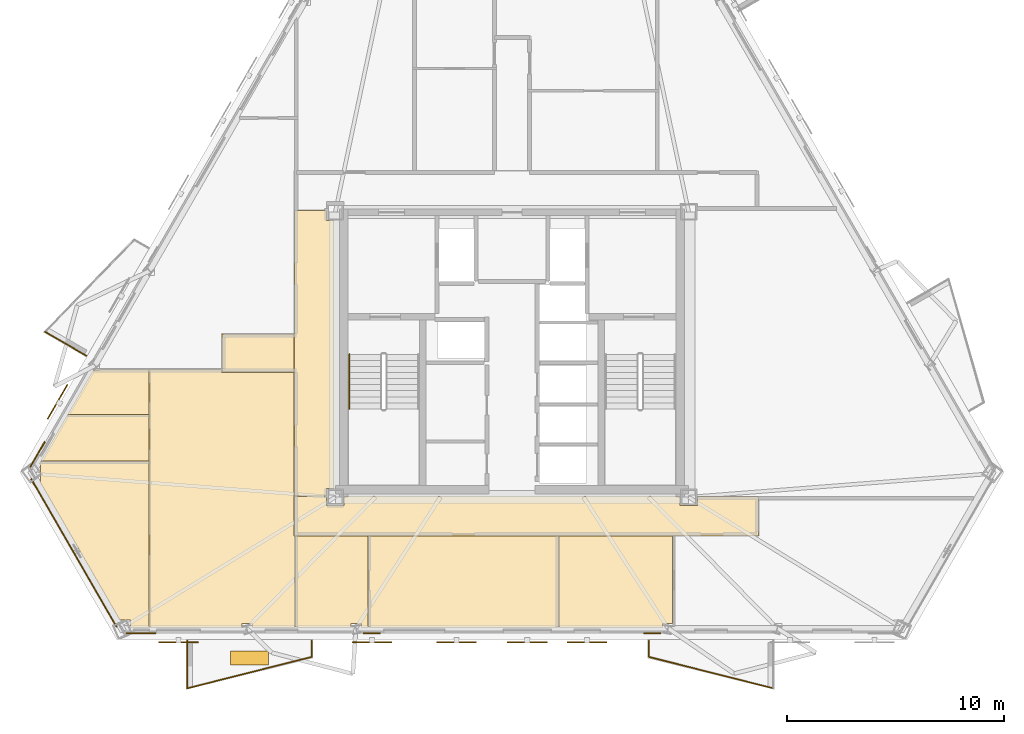
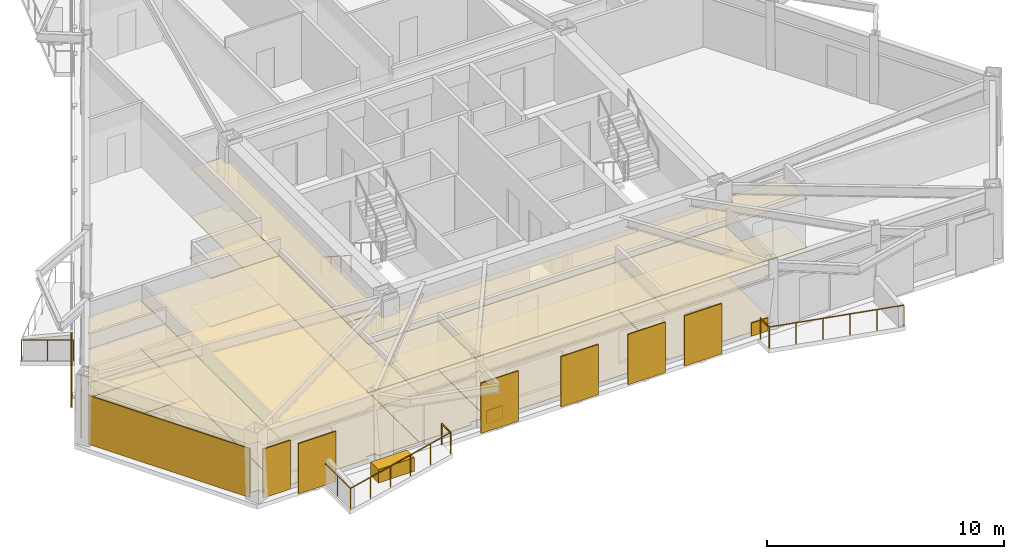
# One storey, part 7 of 9: 26 coverings, 7 railings, 6 shading devices.
"""IFC4 building model written with IfcOpenShell, lengths in metres."""

from ifc_helpers import new_model, si_unit, direction, frame, origin, origin_2d, place, context, subcontext, project, spatial, polyline, rectangle, circle, outline, extrude, material, layer, layer_set, type_object, element, save


model = new_model("IFC4")

# Units and contexts
model_context = context("Model", 3, precision=1e-05, world=origin(), true_north=direction((0.0, 1.0)))
body_context = subcontext(model_context, "Body", "Model", "MODEL_VIEW")
ifc_project = project(units=[si_unit("LENGTHUNIT", "METRE"), si_unit("AREAUNIT", "SQUARE_METRE"), si_unit("VOLUMEUNIT", "CUBIC_METRE"), si_unit("PLANEANGLEUNIT", "RADIAN"), si_unit("MASSUNIT", "GRAM", prefix="KILO")], contexts=[model_context])

# Site, building, storey
site_placement = place(None, origin())
site = spatial("IfcSite", under=ifc_project, at=site_placement, CompositionType="ELEMENT")
building_placement = place(site_placement, origin())
building = spatial("IfcBuilding", under=site, at=building_placement, Name="Oramaril Tower", CompositionType="ELEMENT")
storey_placement = place(building_placement, frame((0.0, 0.0, 174.60009765625)))
storey = spatial("IfcBuildingStorey", under=building, at=storey_placement, Name="L46", CompositionType="ELEMENT", Elevation=174.60009765625)

# Coverings
ifc_material_1 = material(Name="Mineral Fibre Acoustic Ceiling")
ifc_layer_1 = layer(ifc_material_1, 0.02001953125)
ifc_layer_set_1 = layer_set([ifc_layer_1], Name="CVT-CEIL")
covering_type_1 = type_object("IfcCoveringType", Name="CVT-CEIL", PredefinedType="CEILING", material=ifc_layer_set_1)
covering_1_placement = place(storey_placement, frame((0.0, 0.0, 2.511962890625)))
element("IfcCovering", 1, at=covering_1_placement, inside=storey, type_object=covering_type_1, Name="L46 Acoustic Suspended Ceiling 1", PredefinedType="CEILING", context=body_context, shape_type="SweptSolid", body=[
    extrude(outline(polyline([(28.955078125, 10.60498046875), (29.7451171875, 10.60498046875), (29.7451171875, 11.030029296875), (45.2548828125, 11.030029296875), (45.2548828125, 10.60498046875), (46.044921875, 10.60498046875), (46.044921875, 11.030029296875), (48.8798828125, 11.030029296875), (48.8798828125, 9.219970703125), (27.469970703125, 9.219970703125), (27.469970703125, 11.030029296875), (28.955078125, 11.030029296875), (28.955078125, 10.60498046875)])), origin(), (0.0, 0.0, 1.0), 0.02001953125),
])
covering_2_placement = place(storey_placement, frame((0.0, 0.0, 2.511962890625)))
element("IfcCovering", 2, at=covering_2_placement, inside=storey, type_object=covering_type_1, Name="L46 Acoustic Suspended Ceiling 3", PredefinedType="CEILING", context=body_context, shape_type="SweptSolid", body=[
    extrude(outline(polyline([(28.955078125, 23.7548828125), (29.280029296875, 23.7548828125), (29.280029296875, 11.39501953125), (28.955078125, 11.39501953125), (28.955078125, 11.050048828125), (27.469970703125, 11.050048828125), (27.469970703125, 24.219970703125), (28.955078125, 24.219970703125), (28.955078125, 23.7548828125)])), origin(), (0.0, 0.0, 1.0), 0.02001953125),
])
covering_3_placement = place(storey_placement, frame((0.0, 0.0, 2.511962890625)))
element("IfcCovering", 3, at=covering_3_placement, inside=storey, type_object=covering_type_1, Name="L46 Acoustic Suspended Ceiling 5", PredefinedType="CEILING", context=body_context, shape_type="SweptSolid", body=[
    extrude(outline(polyline([(24.1201171875, 16.77001953125), (24.1201171875, 18.530029296875), (27.449951171875, 18.530029296875), (27.449951171875, 16.77001953125), (24.1201171875, 16.77001953125)])), origin(), (0.0, 0.0, 1.0), 0.02001953125),
])
covering_4_placement = place(storey_placement, frame((0.0, 0.0, 2.511962890625)))
element("IfcCovering", 4, at=covering_4_placement, inside=storey, type_object=covering_type_1, Name="L46 Acoustic Suspended Ceiling 6", PredefinedType="CEILING", context=body_context, shape_type="SweptSolid", body=[
    extrude(outline(polyline([(30.882080078125, 4.991943359375), (30.882080078125, 9.199951171875), (39.64208984375, 9.199951171875), (39.64208984375, 4.991943359375), (30.882080078125, 4.991943359375)])), origin(), (0.0, 0.0, 1.0), 0.02001953125),
])
covering_5_placement = place(storey_placement, frame((0.0, 0.0, 2.511962890625)))
element("IfcCovering", 5, at=covering_5_placement, inside=storey, type_object=covering_type_1, Name="L46 Acoustic Suspended Ceiling 7", PredefinedType="CEILING", context=body_context, shape_type="SweptSolid", body=[
    extrude(outline(polyline([(30.53369140625, 5.17626953125), (30.08203125, 5.17626953125), (30.08203125, 4.991943359375), (27.508056640625, 4.991943359375), (27.508056640625, 9.199951171875), (30.862060546875, 9.199951171875), (30.862060546875, 4.991943359375), (30.53369140625, 4.991943359375), (30.53369140625, 5.17626953125)])), origin(), (0.0, 0.0, 1.0), 0.02001953125),
])
covering_6_placement = place(storey_placement, frame((0.0, 0.0, 2.511962890625)))
element("IfcCovering", 6, at=covering_6_placement, inside=storey, type_object=covering_type_1, Name="L46 Acoustic Suspended Ceiling 9", PredefinedType="CEILING", context=body_context, shape_type="SweptSolid", body=[
    extrude(outline(polyline([(44.46630859375, 5.17626953125), (44.46630859375, 4.991943359375), (39.662109375, 4.991943359375), (39.662109375, 9.199951171875), (44.912353515625, 9.199951171875), (44.912353515625, 5.17626953125), (44.46630859375, 5.17626953125)])), origin(), (0.0, 0.0, 1.0), 0.02001953125),
])
covering_7_placement = place(storey_placement, frame((0.0, 0.0, 2.511962890625)))
element("IfcCovering", 7, at=covering_7_placement, inside=storey, type_object=covering_type_1, Name="L46 Acoustic Suspended Ceiling 10", PredefinedType="CEILING", context=body_context, shape_type="SweptSolid", body=[
    extrude(outline(polyline([(25.50341796875, 4.991943359375), (25.50341796875, 5.17626953125), (25.043212890625, 5.17626953125), (25.043212890625, 4.991943359375), (20.767578125, 4.991943359375), (20.767578125, 16.89208984375), (24.10009765625, 16.89208984375), (24.10009765625, 16.77001953125), (24.10009765625, 16.76806640625), (24.100341796875, 16.76611328125), (24.100830078125, 16.76416015625), (24.1015625, 16.76220703125), (24.102294921875, 16.760498046875), (24.103515625, 16.7587890625), (24.1044921875, 16.75732421875), (24.10595703125, 16.755859375), (24.107421875, 16.75439453125), (24.10888671875, 16.75341796875), (24.110595703125, 16.75244140625), (24.1123046875, 16.75146484375), (24.1142578125, 16.7509765625), (24.1162109375, 16.75048828125), (24.117919921875, 16.75), (24.1201171875, 16.75), (27.449951171875, 16.75), (27.449951171875, 11.050048828125), (27.4501953125, 11.048095703125), (27.450439453125, 11.046142578125), (27.450927734375, 11.044189453125), (27.451416015625, 11.042236328125), (27.452392578125, 11.04052734375), (27.45263671875, 11.0400390625), (27.452392578125, 11.039306640625), (27.451416015625, 11.03759765625), (27.450927734375, 11.035888671875), (27.450439453125, 11.033935546875), (27.4501953125, 11.031982421875), (27.449951171875, 11.030029296875), (27.449951171875, 9.219970703125), (27.4501953125, 9.218017578125), (27.450439453125, 9.216064453125), (27.450927734375, 9.214111328125), (27.451416015625, 9.21240234375), (27.452392578125, 9.210693359375), (27.453369140625, 9.208984375), (27.45458984375, 9.207275390625), (27.455810546875, 9.205810546875), (27.457275390625, 9.20458984375), (27.458984375, 9.203369140625), (27.460693359375, 9.202392578125), (27.46240234375, 9.201416015625), (27.464111328125, 9.200927734375), (27.466064453125, 9.200439453125), (27.468017578125, 9.2001953125), (27.469970703125, 9.199951171875), (27.488037109375, 9.199951171875), (27.488037109375, 4.991943359375), (25.50341796875, 4.991943359375)])), origin(), (0.0, 0.0, 1.0), 0.02001953125),
])
covering_8_placement = place(storey_placement, frame((0.0, 0.0, 2.511962890625)))
element("IfcCovering", 8, at=covering_8_placement, inside=storey, type_object=covering_type_1, Name="L46 Acoustic Suspended Ceiling 11", PredefinedType="CEILING", context=body_context, shape_type="SweptSolid", body=[
    extrude(outline(polyline([(19.9052734375, 4.991943359375), (19.9052734375, 5.326904296875), (19.404296875, 5.326904296875), (15.715087890625, 11.716552734375), (15.757568359375, 11.716552734375), (15.757568359375, 12.52001953125), (15.6787109375, 12.52001953125), (15.748291015625, 12.64111328125), (20.74755859375, 12.64111328125), (20.74755859375, 4.991943359375), (19.9052734375, 4.991943359375)])), origin(), (0.0, 0.0, 1.0), 0.02001953125),
])
covering_9_placement = place(storey_placement, frame((0.0, 0.0, 2.511962890625)))
element("IfcCovering", 9, at=covering_9_placement, inside=storey, type_object=covering_type_1, Name="L46 Acoustic Suspended Ceiling 12", PredefinedType="CEILING", context=body_context, shape_type="SweptSolid", body=[
    extrude(outline(polyline([(16.99658203125, 14.802978515625), (20.74755859375, 14.802978515625), (20.74755859375, 12.660888671875), (15.760009765625, 12.660888671875), (16.99658203125, 14.802978515625)])), origin(), (0.0, 0.0, 1.0), 0.02001953125),
])
covering_10_placement = place(storey_placement, frame((0.0, 0.0, 2.511962890625)))
element("IfcCovering", 10, at=covering_10_placement, inside=storey, type_object=covering_type_1, Name="L46 Acoustic Suspended Ceiling 13", PredefinedType="CEILING", context=body_context, shape_type="SweptSolid", body=[
    extrude(outline(polyline([(18.180908203125, 16.854248046875), (18.486572265625, 16.854248046875), (18.486572265625, 16.89208984375), (20.74755859375, 16.89208984375), (20.74755859375, 14.822998046875), (17.008056640625, 14.822998046875), (18.180908203125, 16.854248046875)])), origin(), (0.0, 0.0, 1.0), 0.02001953125),
])
ifc_material_2 = material(Name="Warm Cream Limestone", Category="masonry")
ifc_layer_2 = layer(ifc_material_2, 0.050048828125)
ifc_layer_set_2 = layer_set([ifc_layer_2], Name="CVT-CLD")
covering_type_2 = type_object("IfcCoveringType", Name="CVT-CLD", PredefinedType="CLADDING", material=ifc_layer_set_2)
covering_11_placement = place(storey_placement, frame((17.292236328125, 8.43310546875, 0.039794921875), z_axis=(0.0, 0.0, 1.0), x_axis=(0.499996976998, -0.866027149108, 0.0)))
element("IfcCovering", 11, at=covering_11_placement, inside=storey, type_object=covering_type_2, Name="L46 Warm Cream Limestone Cladding", PredefinedType="CLADDING", context=body_context, shape_type="SweptSolid", body=[
    extrude(rectangle(XDim=7.889892578125, YDim=0.050048828125, at=origin_2d()), origin(), (0.0, 0.0, 1.0), 2.52001953125),
])
covering_12_placement = place(storey_placement, frame((20.38525390625, 4.716064453125, 0.039794921875), z_axis=(0.0, 0.0, 1.0), x_axis=(1.0, 0.0, 0.0)))
element("IfcCovering", 12, at=covering_12_placement, inside=storey, type_object=covering_type_2, Name="L46 Warm Cream Limestone Cladding", PredefinedType="CLADDING", context=body_context, shape_type="SweptSolid", body=[
    extrude(rectangle(XDim=1.35009765625, YDim=0.050048828125, at=origin_2d()), origin(), (0.0, 0.0, 1.0), 2.52001953125),
])
for number, where, z_axis, x_axis, name in (
    (13, (31.03271484375, 4.716064453125, 0.0400390625), (0.0, 0.0, 1.0), (1.0, 0.0, 0.0), "L46 Warm Cream Limestone Spandrel Cladding"),
    (14, (43.96728515625, 4.716064453125, 0.0400390625), (0.0, 0.0, 1.0), (1.0, 0.0, 0.0), "L46 Warm Cream Limestone Spandrel Cladding"),
):
    element("IfcCovering", number, at=place(storey_placement, frame(where, z_axis=z_axis, x_axis=x_axis)), inside=storey, type_object=covering_type_2, Name=name, PredefinedType="CLADDING", context=body_context, shape_type="SweptSolid", body=[
        extrude(rectangle(XDim=0.800048828125, YDim=0.050048828125, at=origin_2d()), origin(), (0.0, 0.0, 1.0), 0.679931640625),
    ])
covering_13_placement = place(storey_placement, frame((15.61962890625, 12.97021484375, 0.039794921875), z_axis=(0.0, 0.0, 1.0), x_axis=(-0.5, -0.866025403784, 0.0)))
element("IfcCovering", 15, at=covering_13_placement, inside=storey, type_object=covering_type_2, Name="L46 Warm Cream Limestone Cladding", PredefinedType="CLADDING", context=body_context, shape_type="SweptSolid", body=[
    extrude(rectangle(XDim=1.35009765625, YDim=0.050048828125, at=origin_2d()), origin(), (0.0, 0.0, 1.0), 2.52001953125),
])
covering_14_placement = place(storey_placement, frame((25.39453125, 3.58740234375, 0.0), z_axis=(0.0, 0.0, 1.0), x_axis=(1.0, 0.0, 0.0)))
element("IfcCovering", 16, at=covering_14_placement, inside=storey, type_object=covering_type_2, Name="L46 Structural Tree Planter Box L46-BAL-S1", PredefinedType="CLADDING", context=body_context, shape_type="SweptSolid", body=[
    extrude(rectangle(XDim=1.75, YDim=0.64990234375, at=origin_2d()), origin(), (0.0, 0.0, 1.0), 0.699951171875),
])
ifc_material_3 = material(Name="Honed Quartzite Stone Flooring", Category="masonry")
ifc_layer_3 = layer(ifc_material_3, 0.02490234375)
ifc_layer_set_3 = layer_set([ifc_layer_3], Name="CVT-FLR")
covering_type_3 = type_object("IfcCoveringType", Name="CVT-FLR", PredefinedType="FLOORING", material=ifc_layer_set_3)
covering_15_placement = place(storey_placement, origin())
element("IfcCovering", 17, at=covering_15_placement, inside=storey, type_object=covering_type_3, Name="L46 Honed Stone Floor Finish 1", PredefinedType="FLOORING", context=body_context, shape_type="SweptSolid", body=[
    extrude(outline(polyline([(28.955078125, 10.60498046875), (29.7451171875, 10.60498046875), (29.7451171875, 11.030029296875), (45.2548828125, 11.030029296875), (45.2548828125, 10.60498046875), (46.044921875, 10.60498046875), (46.044921875, 11.030029296875), (48.8798828125, 11.030029296875), (48.8798828125, 9.219970703125), (27.469970703125, 9.219970703125), (27.469970703125, 11.030029296875), (28.955078125, 11.030029296875), (28.955078125, 10.60498046875)])), origin(), (0.0, 0.0, 1.0), 0.02490234375),
])
covering_16_placement = place(storey_placement, origin())
element("IfcCovering", 18, at=covering_16_placement, inside=storey, type_object=covering_type_3, Name="L46 Honed Stone Floor Finish 3", PredefinedType="FLOORING", context=body_context, shape_type="SweptSolid", body=[
    extrude(outline(polyline([(28.955078125, 23.7548828125), (29.280029296875, 23.7548828125), (29.280029296875, 11.39501953125), (28.955078125, 11.39501953125), (28.955078125, 11.050048828125), (27.469970703125, 11.050048828125), (27.469970703125, 24.219970703125), (28.955078125, 24.219970703125), (28.955078125, 23.7548828125)])), origin(), (0.0, 0.0, 1.0), 0.02490234375),
])
covering_17_placement = place(storey_placement, origin())
element("IfcCovering", 19, at=covering_17_placement, inside=storey, type_object=covering_type_3, Name="L46 Honed Stone Floor Finish 5", PredefinedType="FLOORING", context=body_context, shape_type="SweptSolid", body=[
    extrude(outline(polyline([(24.1201171875, 16.77001953125), (24.1201171875, 18.530029296875), (27.449951171875, 18.530029296875), (27.449951171875, 16.77001953125), (24.1201171875, 16.77001953125)])), origin(), (0.0, 0.0, 1.0), 0.02490234375),
])
covering_18_placement = place(storey_placement, origin())
element("IfcCovering", 20, at=covering_18_placement, inside=storey, type_object=covering_type_3, Name="L46 Honed Stone Floor Finish 6", PredefinedType="FLOORING", context=body_context, shape_type="SweptSolid", body=[
    extrude(outline(polyline([(30.882080078125, 4.991943359375), (30.882080078125, 9.199951171875), (39.64208984375, 9.199951171875), (39.64208984375, 4.991943359375), (30.882080078125, 4.991943359375)])), origin(), (0.0, 0.0, 1.0), 0.02490234375),
])
covering_19_placement = place(storey_placement, origin())
element("IfcCovering", 21, at=covering_19_placement, inside=storey, type_object=covering_type_3, Name="L46 Honed Stone Floor Finish 7", PredefinedType="FLOORING", context=body_context, shape_type="SweptSolid", body=[
    extrude(outline(polyline([(30.53369140625, 5.17626953125), (30.08203125, 5.17626953125), (30.08203125, 4.991943359375), (27.508056640625, 4.991943359375), (27.508056640625, 9.199951171875), (30.862060546875, 9.199951171875), (30.862060546875, 4.991943359375), (30.53369140625, 4.991943359375), (30.53369140625, 5.17626953125)])), origin(), (0.0, 0.0, 1.0), 0.02490234375),
])
covering_20_placement = place(storey_placement, origin())
element("IfcCovering", 22, at=covering_20_placement, inside=storey, type_object=covering_type_3, Name="L46 Honed Stone Floor Finish 9", PredefinedType="FLOORING", context=body_context, shape_type="SweptSolid", body=[
    extrude(outline(polyline([(44.46630859375, 5.17626953125), (44.46630859375, 4.991943359375), (39.662109375, 4.991943359375), (39.662109375, 9.199951171875), (44.912353515625, 9.199951171875), (44.912353515625, 5.17626953125), (44.46630859375, 5.17626953125)])), origin(), (0.0, 0.0, 1.0), 0.02490234375),
])
covering_21_placement = place(storey_placement, origin())
element("IfcCovering", 23, at=covering_21_placement, inside=storey, type_object=covering_type_3, Name="L46 Honed Stone Floor Finish 10", PredefinedType="FLOORING", context=body_context, shape_type="SweptSolid", body=[
    extrude(outline(polyline([(25.50341796875, 4.991943359375), (25.50341796875, 5.17626953125), (25.043212890625, 5.17626953125), (25.043212890625, 4.991943359375), (20.767578125, 4.991943359375), (20.767578125, 16.89208984375), (24.10009765625, 16.89208984375), (24.10009765625, 16.77001953125), (24.10009765625, 16.76806640625), (24.100341796875, 16.76611328125), (24.100830078125, 16.76416015625), (24.1015625, 16.76220703125), (24.102294921875, 16.760498046875), (24.103515625, 16.7587890625), (24.1044921875, 16.75732421875), (24.10595703125, 16.755859375), (24.107421875, 16.75439453125), (24.10888671875, 16.75341796875), (24.110595703125, 16.75244140625), (24.1123046875, 16.75146484375), (24.1142578125, 16.7509765625), (24.1162109375, 16.75048828125), (24.117919921875, 16.75), (24.1201171875, 16.75), (27.449951171875, 16.75), (27.449951171875, 11.050048828125), (27.4501953125, 11.048095703125), (27.450439453125, 11.046142578125), (27.450927734375, 11.044189453125), (27.451416015625, 11.042236328125), (27.452392578125, 11.04052734375), (27.45263671875, 11.0400390625), (27.452392578125, 11.039306640625), (27.451416015625, 11.03759765625), (27.450927734375, 11.035888671875), (27.450439453125, 11.033935546875), (27.4501953125, 11.031982421875), (27.449951171875, 11.030029296875), (27.449951171875, 9.219970703125), (27.4501953125, 9.218017578125), (27.450439453125, 9.216064453125), (27.450927734375, 9.214111328125), (27.451416015625, 9.21240234375), (27.452392578125, 9.210693359375), (27.453369140625, 9.208984375), (27.45458984375, 9.207275390625), (27.455810546875, 9.205810546875), (27.457275390625, 9.20458984375), (27.458984375, 9.203369140625), (27.460693359375, 9.202392578125), (27.46240234375, 9.201416015625), (27.464111328125, 9.200927734375), (27.466064453125, 9.200439453125), (27.468017578125, 9.2001953125), (27.469970703125, 9.199951171875), (27.488037109375, 9.199951171875), (27.488037109375, 4.991943359375), (25.50341796875, 4.991943359375)])), origin(), (0.0, 0.0, 1.0), 0.02490234375),
])
covering_22_placement = place(storey_placement, origin())
element("IfcCovering", 24, at=covering_22_placement, inside=storey, type_object=covering_type_3, Name="L46 Honed Stone Floor Finish 11", PredefinedType="FLOORING", context=body_context, shape_type="SweptSolid", body=[
    extrude(outline(polyline([(19.9052734375, 4.991943359375), (19.9052734375, 5.326904296875), (19.404296875, 5.326904296875), (15.715087890625, 11.716552734375), (15.757568359375, 11.716552734375), (15.757568359375, 12.52001953125), (15.6787109375, 12.52001953125), (15.748291015625, 12.64111328125), (20.74755859375, 12.64111328125), (20.74755859375, 4.991943359375), (19.9052734375, 4.991943359375)])), origin(), (0.0, 0.0, 1.0), 0.02490234375),
])
covering_23_placement = place(storey_placement, origin())
element("IfcCovering", 25, at=covering_23_placement, inside=storey, type_object=covering_type_3, Name="L46 Honed Stone Floor Finish 12", PredefinedType="FLOORING", context=body_context, shape_type="SweptSolid", body=[
    extrude(outline(polyline([(16.99658203125, 14.802978515625), (20.74755859375, 14.802978515625), (20.74755859375, 12.660888671875), (15.760009765625, 12.660888671875), (16.99658203125, 14.802978515625)])), origin(), (0.0, 0.0, 1.0), 0.02490234375),
])
covering_24_placement = place(storey_placement, origin())
element("IfcCovering", 26, at=covering_24_placement, inside=storey, type_object=covering_type_3, Name="L46 Honed Stone Floor Finish 13", PredefinedType="FLOORING", context=body_context, shape_type="SweptSolid", body=[
    extrude(outline(polyline([(18.180908203125, 16.854248046875), (18.486572265625, 16.854248046875), (18.486572265625, 16.89208984375), (20.74755859375, 16.89208984375), (20.74755859375, 14.822998046875), (17.008056640625, 14.822998046875), (18.180908203125, 16.854248046875)])), origin(), (0.0, 0.0, 1.0), 0.02490234375),
])

# Railings
ifc_material_4 = material(Name="Stainless Steel 316L", Category="steel")
railing_type_1 = type_object("IfcRailingType", Name="RLT-GRD", PredefinedType="GUARDRAIL", material=ifc_material_4)
railing_1_placement = place(storey_placement, frame((28.259521484375, 4.3759765625, 0.0)))
element("IfcRailing", 27, at=railing_1_placement, inside=storey, type_object=railing_type_1, Name="L46 Balcony Guardrail L46-BAL-S1.1", PredefinedType="GUARDRAIL", context=body_context, shape_type="SweptSolid", body=[
    extrude(circle(Radius=0.02392578125, at=origin_2d()), frame((0.0, 0.0, 1.076171875), z_axis=(0.0, -1.0, 0.0), x_axis=(1.0, 0.0, 0.0)), (0.0, 0.0, 1.0), 0.741943359375),
    extrude(circle(Radius=0.02099609375, at=origin_2d()), origin(), (0.0, 0.0, 1.0), 1.052001953125),
    extrude(circle(Radius=0.02099609375, at=origin_2d()), frame((0.0, -0.741943359375, 0.0)), (0.0, 0.0, 1.0), 1.052001953125),
])
railing_2_placement = place(storey_placement, frame((28.259521484375, 3.634033203125, 0.0)))
element("IfcRailing", 28, at=railing_2_placement, inside=storey, type_object=railing_type_1, Name="L46 Balcony Guardrail L46-BAL-S1.2", PredefinedType="GUARDRAIL", context=body_context, shape_type="SweptSolid", body=[
    extrude(circle(Radius=0.02392578125, at=origin_2d()), frame((0.0, 0.0, 1.076171875), z_axis=(-0.969443611257, -0.245314256807, 0.0), x_axis=(0.245314256807, -0.969443611257, 0.0)), (0.0, 0.0, 1.0), 5.91064453125),
    extrude(circle(Radius=0.02099609375, at=origin_2d()), origin(), (0.0, 0.0, 1.0), 1.052001953125),
    extrude(circle(Radius=0.02099609375, at=origin_2d()), frame((-1.14599609375, -0.2900390625, 0.0)), (0.0, 0.0, 1.0), 1.052001953125),
    extrude(circle(Radius=0.02099609375, at=origin_2d()), frame((-2.2919921875, -0.580078125, 0.0)), (0.0, 0.0, 1.0), 1.052001953125),
    extrude(circle(Radius=0.02099609375, at=origin_2d()), frame((-3.43798828125, -0.869873046875, 0.0)), (0.0, 0.0, 1.0), 1.052001953125),
    extrude(circle(Radius=0.02099609375, at=origin_2d()), frame((-4.583984375, -1.159912109375, 0.0)), (0.0, 0.0, 1.0), 1.052001953125),
    extrude(circle(Radius=0.02099609375, at=origin_2d()), frame((-5.72998046875, -1.449951171875, 0.0)), (0.0, 0.0, 1.0), 1.052001953125),
])
railing_3_placement = place(storey_placement, frame((22.529541015625, 2.18408203125, 0.0)))
element("IfcRailing", 29, at=railing_3_placement, inside=storey, type_object=railing_type_1, Name="L46 Balcony Guardrail L46-BAL-S1.3", PredefinedType="GUARDRAIL", context=body_context, shape_type="SweptSolid", body=[
    extrude(circle(Radius=0.02392578125, at=origin_2d()), frame((0.0, 0.0, 1.076171875), z_axis=(0.0, 1.0, 0.0), x_axis=(-1.0, 0.0, 0.0)), (0.0, 0.0, 1.0), 2.19189453125),
    extrude(circle(Radius=0.02099609375, at=origin_2d()), origin(), (0.0, 0.0, 1.0), 1.052001953125),
    extrude(circle(Radius=0.02099609375, at=origin_2d()), frame((0.0, 1.095947265625, 0.0)), (0.0, 0.0, 1.0), 1.052001953125),
    extrude(circle(Radius=0.02099609375, at=origin_2d()), frame((0.0, 2.19189453125, 0.0)), (0.0, 0.0, 1.0), 1.052001953125),
])
railing_4_placement = place(storey_placement, frame((49.54541015625, 2.18408203125, 0.0)))
element("IfcRailing", 30, at=railing_4_placement, inside=storey, type_object=railing_type_1, Name="L46 Balcony Guardrail L46-BAL-S2.2", PredefinedType="GUARDRAIL", context=body_context, shape_type="SweptSolid", body=[
    extrude(circle(Radius=0.02392578125, at=origin_2d()), frame((0.0, 0.0, 1.076171875), z_axis=(-0.969443611257, 0.245314256807, 0.0), x_axis=(-0.245314256807, -0.969443611257, 0.0)), (0.0, 0.0, 1.0), 5.91064453125),
    extrude(circle(Radius=0.02099609375, at=origin_2d()), origin(), (0.0, 0.0, 1.0), 1.052001953125),
    extrude(circle(Radius=0.02099609375, at=origin_2d()), frame((-1.14599609375, 0.2900390625, 0.0)), (0.0, 0.0, 1.0), 1.052001953125),
    extrude(circle(Radius=0.02099609375, at=origin_2d()), frame((-2.2919921875, 0.580078125, 0.0)), (0.0, 0.0, 1.0), 1.052001953125),
    extrude(circle(Radius=0.02099609375, at=origin_2d()), frame((-3.43798828125, 0.869873046875, 0.0)), (0.0, 0.0, 1.0), 1.052001953125),
    extrude(circle(Radius=0.02099609375, at=origin_2d()), frame((-4.583984375, 1.159912109375, 0.0)), (0.0, 0.0, 1.0), 1.052001953125),
    extrude(circle(Radius=0.02099609375, at=origin_2d()), frame((-5.72998046875, 1.449951171875, 0.0)), (0.0, 0.0, 1.0), 1.052001953125),
])
railing_5_placement = place(storey_placement, frame((43.8154296875, 3.634033203125, 0.0)))
element("IfcRailing", 31, at=railing_5_placement, inside=storey, type_object=railing_type_1, Name="L46 Balcony Guardrail L46-BAL-S2.3", PredefinedType="GUARDRAIL", context=body_context, shape_type="SweptSolid", body=[
    extrude(circle(Radius=0.02392578125, at=origin_2d()), frame((0.0, 0.0, 1.076171875), z_axis=(0.0, 1.0, 0.0), x_axis=(-1.0, 0.0, 0.0)), (0.0, 0.0, 1.0), 0.741943359375),
    extrude(circle(Radius=0.02099609375, at=origin_2d()), origin(), (0.0, 0.0, 1.0), 1.052001953125),
    extrude(circle(Radius=0.02099609375, at=origin_2d()), frame((0.0, 0.741943359375, 0.0)), (0.0, 0.0, 1.0), 1.052001953125),
])
railing_6_placement = place(storey_placement, frame((17.85986328125, 17.530517578125, 0.0)))
element("IfcRailing", 32, at=railing_6_placement, inside=storey, type_object=railing_type_1, Name="L46 Balcony Guardrail L46-BAL-NW2.1", PredefinedType="GUARDRAIL", context=body_context, shape_type="SweptSolid", body=[
    extrude(circle(Radius=0.02392578125, at=origin_2d()), frame((0.0, 0.0, 1.076171875), z_axis=(-0.866020500697, 0.5000084923, 0.0), x_axis=(-0.5000084923, -0.866020500697, 0.0)), (0.0, 0.0, 1.0), 2.19189453125),
    extrude(circle(Radius=0.02099609375, at=origin_2d()), origin(), (0.0, 0.0, 1.0), 1.052001953125),
    extrude(circle(Radius=0.02099609375, at=origin_2d()), frame((-0.94921875, 0.5478515625, 0.0)), (0.0, 0.0, 1.0), 1.052001953125),
    extrude(circle(Radius=0.02099609375, at=origin_2d()), frame((-1.898193359375, 1.095947265625, 0.0)), (0.0, 0.0, 1.0), 1.052001953125),
])
ifc_material_5 = material(Name="Stainless Steel 316L", Category="steel")
railing_type_2 = type_object("IfcRailingType", Name="RLT-HND", PredefinedType="HANDRAIL", material=ifc_material_5)
railing_7_placement = place(storey_placement, frame((30.0, 17.590087890625, 0.179931640625)))
element("IfcRailing", 33, at=railing_7_placement, inside=storey, type_object=railing_type_2, Name="L46 ST-1 stair handrail 1", PredefinedType="HANDRAIL", context=body_context, shape_type="SweptSolid", body=[
    extrude(circle(Radius=0.02392578125, at=origin_2d()), frame((0.0, 0.0, 0.8759765625), z_axis=(0.0, -0.841199657755, 0.540724639528), x_axis=(1.0, 0.0, 0.0)), (0.0, 0.0, 1.0), 2.995849609375),
    extrude(circle(Radius=0.02099609375, at=origin_2d()), origin(), (0.0, 0.0, 1.0), 0.851806640625),
    extrude(circle(Radius=0.02099609375, at=origin_2d()), frame((0.0, -0.840087890625, 0.5400390625)), (0.0, 0.0, 1.0), 0.851806640625),
    extrude(circle(Radius=0.02099609375, at=origin_2d()), frame((0.0, -1.679931640625, 1.079833984375)), (0.0, 0.0, 1.0), 0.851806640625),
    extrude(circle(Radius=0.02099609375, at=origin_2d()), frame((0.0, -2.52001953125, 1.619873046875)), (0.0, 0.0, 1.0), 0.851806640625),
])

# Shading devices
for number, where, z_axis, x_axis, name in (
    (34, (31.03955078125, 4.303955078125, -0.020263671875), (0.0, 0.0, 1.0), (1.0, 0.0, 0.0), "L46 Perforated Ceramic Solar Screen"),
    (35, (34.939453125, 4.303955078125, -0.020263671875), (0.0, 0.0, 1.0), (1.0, 0.0, 0.0), "L46 Perforated Ceramic Solar Screen"),
    (36, (38.20703125, 4.303955078125, -0.020263671875), (0.0, 0.0, 1.0), (1.0, 0.0, 0.0), "L46 Perforated Ceramic Solar Screen"),
    (37, (40.959228515625, 4.303955078125, -0.020263671875), (0.0, 0.0, 1.0), (1.0, 0.0, 0.0), "L46 Perforated Ceramic Solar Screen"),
    (38, (22.114501953125, 4.303955078125, -0.020263671875), (0.0, 0.0, 1.0), (1.0, 0.0, 0.0), "L46 Perforated Ceramic Solar Screen"),
    (39, (16.542236328125, 15.39208984375, -0.020263671875), (0.0, 0.0, 1.0), (-0.5, -0.866025403784, 0.0), "L46 Perforated Ceramic Solar Screen"),
):
    element("IfcShadingDevice", number, at=place(storey_placement, frame(where, z_axis=z_axis, x_axis=x_axis)), inside=storey, Name=name, ObjectType="SCREEN", PredefinedType="USERDEFINED", context=body_context, shape_type="SweptSolid", body=[
        extrude(rectangle(XDim=1.8330078125, YDim=0.050048828125, at=origin_2d()), origin(), (0.0, 0.0, 1.0), 2.60009765625),
    ])

save(model, "model.ifc")
